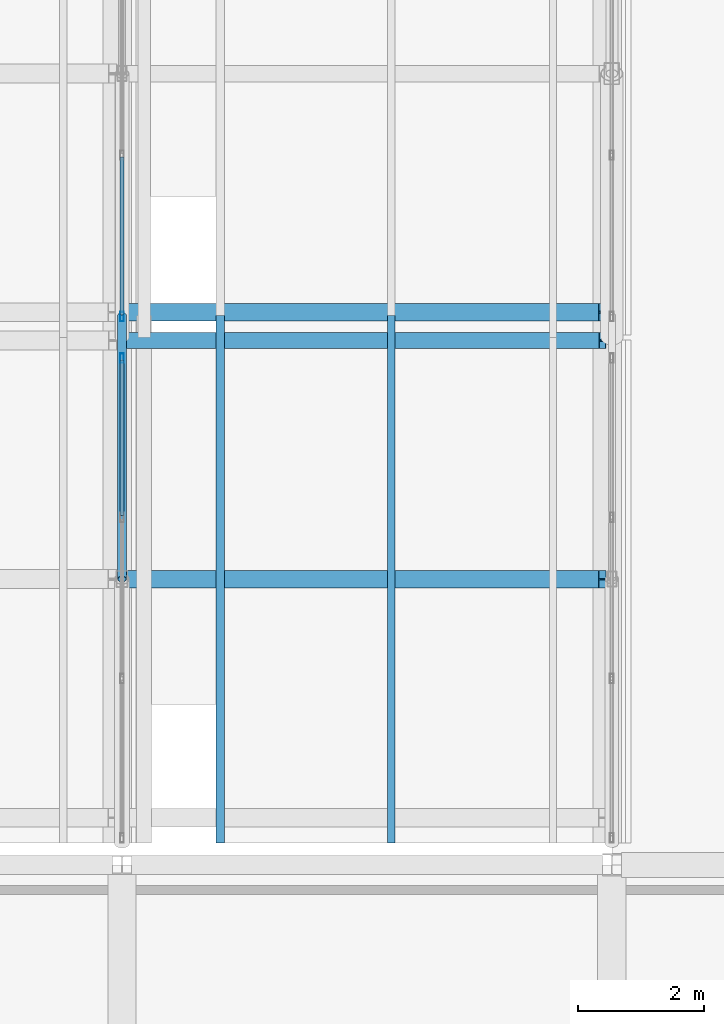
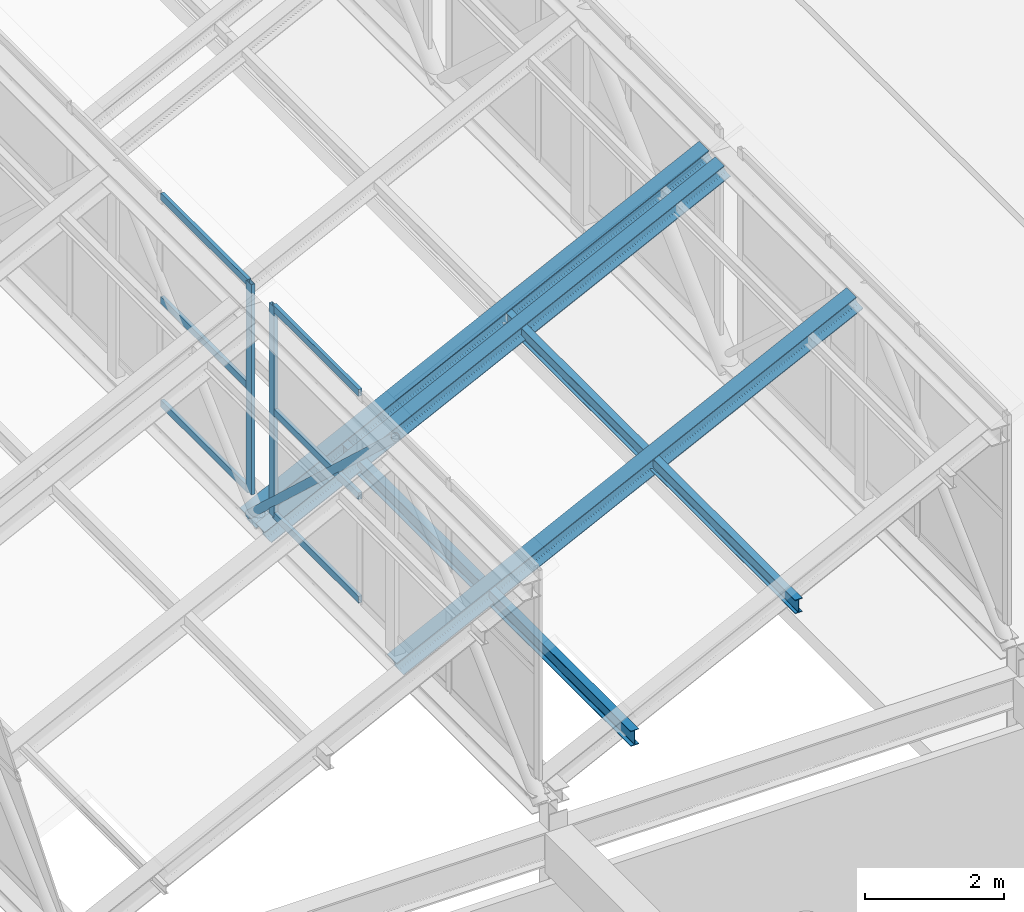
# One storey, part 34 of 101: 14 members, 2 elements without a shape of their own.
"""IFC4 building model written with IfcOpenShell, lengths in metres."""

from ifc_helpers import new_model, si_unit, direction, frame, origin, origin_2d, place, context, subcontext, project, spatial, hollow_rectangle, hollow_circle, i_section, extrude, material, layer, layer_set, material_profile, profile_set, type_object, element, aggregate, save


model = new_model("IFC4")

# Units and contexts
model_context = context("Model", 3, precision=1e-05, world=origin(), true_north=direction((0.0, 1.0)))
body_context = subcontext(model_context, "Body", "Model", "MODEL_VIEW")
ifc_project = project(units=[si_unit("LENGTHUNIT", "METRE"), si_unit("AREAUNIT", "SQUARE_METRE"), si_unit("VOLUMEUNIT", "CUBIC_METRE"), si_unit("PLANEANGLEUNIT", "RADIAN"), si_unit("MASSUNIT", "GRAM", prefix="KILO")], contexts=[model_context])

# Site, building, storey
site_placement = place(None, origin())
site = spatial("IfcSite", under=ifc_project, at=site_placement, CompositionType="ELEMENT")
building_placement = place(site_placement, origin())
building = spatial("IfcBuilding", under=site, at=building_placement, Name="Zizhar Promenade General Hospital", CompositionType="ELEMENT")
storey_placement = place(building_placement, frame((0.0, 0.0, 14.39990234375)))
storey = spatial("IfcBuildingStorey", under=building, at=storey_placement, Name="L03", CompositionType="ELEMENT", Elevation=14.39990234375)

# Curtain wall, member
ifc_material_1 = material(Name="Anodised aluminium 6063-T6 and low-E glass", Category="aluminium")
ifc_layer_1 = layer(ifc_material_1, 0.159912109375)
ifc_layer_set_1 = layer_set([ifc_layer_1], Name="Anodised aluminium 6063-T6 and low-E glass")
curtain_wall_type_1 = type_object("IfcCurtainWallType", Name="CW-SAW-NL1", PredefinedType="NOTDEFINED", material=ifc_layer_set_1)
curtain_wall_1_placement = place(storey_placement, origin())
curtain_wall_1 = element("IfcCurtainWall", 1, at=curtain_wall_1_placement, inside=storey, type_object=curtain_wall_type_1, Name="Sawtooth Clerestory Light B6-S1", PredefinedType="NOTDEFINED")
ifc_material_2 = material(Name="Anodised aluminium 6063-T6", Category="aluminium")
ifc_material_profile_1 = material_profile(ifc_material_2, hollow_rectangle(XDim=0.06005859375, YDim=0.14990234375, WallThickness=0.00390625, at=origin_2d()))
ifc_profile_set_1 = profile_set([ifc_material_profile_1], Name="Anodised aluminium 6063-T6")
member_type_1 = type_object("IfcMemberType", Name="CWM-ALU-150x60", PredefinedType="MULLION", material=ifc_profile_set_1)
member_1_placement = place(storey_placement, frame((117.0, 33.27001953125, 3.85009765625), z_axis=(0.0, 0.0, 1.0), x_axis=(-1.0, 0.0, 0.0)))
member_1 = element("IfcMember", 2, at=member_1_placement, type_object=member_type_1, Name="CW-03 mullion 4", PredefinedType="MULLION", context=body_context, shape_type="SweptSolid", body=[
    extrude(hollow_rectangle(XDim=0.06005859375, YDim=0.14990234375, WallThickness=0.00390625, at=origin_2d()), origin(), (0.0, 0.0, 1.0), 3.699951171875),
])

ifc_material_3 = material(Name="Anodised aluminium 6063-T6 and low-E glass", Category="aluminium")
ifc_layer_2 = layer(ifc_material_3, 0.159912109375)
ifc_layer_set_2 = layer_set([ifc_layer_2], Name="Anodised aluminium 6063-T6 and low-E glass")
curtain_wall_type_2 = type_object("IfcCurtainWallType", Name="CW-SAW-NL2", PredefinedType="NOTDEFINED", material=ifc_layer_set_2)
curtain_wall_2_placement = place(storey_placement, origin())
curtain_wall_2 = element("IfcCurtainWall", 3, at=curtain_wall_2_placement, inside=storey, type_object=curtain_wall_type_2, Name="Sawtooth Clerestory Light B6-S2", PredefinedType="NOTDEFINED")
member_2_placement = place(storey_placement, frame((117.0, 33.929931640625, 3.85009765625), z_axis=(0.0, 0.0, 1.0), x_axis=(-1.0, 0.0, 0.0)))
member_2 = element("IfcMember", 4, at=member_2_placement, type_object=member_type_1, Name="CW-04 mullion 1", PredefinedType="MULLION", context=body_context, shape_type="SweptSolid", body=[
    extrude(hollow_rectangle(XDim=0.06005859375, YDim=0.14990234375, WallThickness=0.00390625, at=origin_2d()), origin(), (0.0, 0.0, 1.0), 3.699951171875),
])

# Member
ifc_material_4 = material(Name="Anodised aluminium 6063-T6", Category="aluminium")
ifc_material_profile_2 = material_profile(ifc_material_4, hollow_rectangle(XDim=0.06005859375, YDim=0.1201171875, WallThickness=0.00390625, at=origin_2d()))
ifc_profile_set_2 = profile_set([ifc_material_profile_2], Name="Anodised aluminium 6063-T6")
member_type_2 = type_object("IfcMemberType", Name="CWT-ALU-120x60", PredefinedType="USERDEFINED", material=ifc_profile_set_2)
member_3_placement = place(storey_placement, frame((117.0, 30.763427734375, 3.880126953125), z_axis=(0.0, 1.0, 0.0), x_axis=(-1.0, 0.0, 0.0)))
member_3 = element("IfcMember", 5, at=member_3_placement, type_object=member_type_2, Name="CW-03 transom 3.1", ObjectType="TRANSOM", PredefinedType="USERDEFINED", context=body_context, shape_type="SweptSolid", body=[
    extrude(hollow_rectangle(XDim=0.06005859375, YDim=0.1201171875, WallThickness=0.00390625, at=origin_2d()), origin(), (0.0, 0.0, 1.0), 2.4765625),
])

member_4_placement = place(storey_placement, frame((117.0, 30.763427734375, 5.7001953125), z_axis=(0.0, 1.0, 0.0), x_axis=(-1.0, 0.0, 0.0)))
member_4 = element("IfcMember", 6, at=member_4_placement, type_object=member_type_2, Name="CW-03 transom 3.2", ObjectType="TRANSOM", PredefinedType="USERDEFINED", context=body_context, shape_type="SweptSolid", body=[
    extrude(hollow_rectangle(XDim=0.06005859375, YDim=0.1201171875, WallThickness=0.00390625, at=origin_2d()), origin(), (0.0, 0.0, 1.0), 2.4765625),
])

member_5_placement = place(storey_placement, frame((117.0, 30.763427734375, 7.52001953125), z_axis=(0.0, 1.0, 0.0), x_axis=(-1.0, 0.0, 0.0)))
member_5 = element("IfcMember", 7, at=member_5_placement, type_object=member_type_2, Name="CW-03 transom 3.3", ObjectType="TRANSOM", PredefinedType="USERDEFINED", context=body_context, shape_type="SweptSolid", body=[
    extrude(hollow_rectangle(XDim=0.06005859375, YDim=0.1201171875, WallThickness=0.00390625, at=origin_2d()), origin(), (0.0, 0.0, 1.0), 2.4765625),
])

aggregate(curtain_wall_1, [member_1, member_3, member_4, member_5])

member_6_placement = place(storey_placement, frame((117.0, 33.9599609375, 3.880126953125), z_axis=(0.0, 1.0, 0.0), x_axis=(-1.0, 0.0, 0.0)))
member_6 = element("IfcMember", 8, at=member_6_placement, type_object=member_type_2, Name="CW-04 transom 1.1", ObjectType="TRANSOM", PredefinedType="USERDEFINED", context=body_context, shape_type="SweptSolid", body=[
    extrude(hollow_rectangle(XDim=0.06005859375, YDim=0.1201171875, WallThickness=0.00390625, at=origin_2d()), origin(), (0.0, 0.0, 1.0), 2.510009765625),
])

member_7_placement = place(storey_placement, frame((117.0, 33.9599609375, 5.7001953125), z_axis=(0.0, 1.0, 0.0), x_axis=(-1.0, 0.0, 0.0)))
member_7 = element("IfcMember", 9, at=member_7_placement, type_object=member_type_2, Name="CW-04 transom 1.2", ObjectType="TRANSOM", PredefinedType="USERDEFINED", context=body_context, shape_type="SweptSolid", body=[
    extrude(hollow_rectangle(XDim=0.06005859375, YDim=0.1201171875, WallThickness=0.00390625, at=origin_2d()), origin(), (0.0, 0.0, 1.0), 2.510009765625),
])

member_8_placement = place(storey_placement, frame((117.0, 33.9599609375, 7.52001953125), z_axis=(0.0, 1.0, 0.0), x_axis=(-1.0, 0.0, 0.0)))
member_8 = element("IfcMember", 10, at=member_8_placement, type_object=member_type_2, Name="CW-04 transom 1.3", ObjectType="TRANSOM", PredefinedType="USERDEFINED", context=body_context, shape_type="SweptSolid", body=[
    extrude(hollow_rectangle(XDim=0.06005859375, YDim=0.1201171875, WallThickness=0.00390625, at=origin_2d()), origin(), (0.0, 0.0, 1.0), 2.510009765625),
])

aggregate(curtain_wall_2, [member_2, member_6, member_7, member_8])

# Members
ifc_material_5 = material(Name="Steel S355", Category="steel")
ifc_material_profile_3 = material_profile(ifc_material_5, hollow_circle(Radius=0.06982421875, WallThickness=0.00634765625, at=origin_2d()))
ifc_profile_set_3 = profile_set([ifc_material_profile_3], Name="Steel S355")
member_type_3 = type_object("IfcMemberType", Name="MEM-BRACE-CHS140", PredefinedType="BRACE", material=ifc_profile_set_3)
member_9_placement = place(storey_placement, frame((117.0, 33.949951171875, 3.4501953125), z_axis=(0.0, -0.732798043082, 0.680446197767), x_axis=(1.0, 0.0, 0.0)))
element("IfcMember", 11, at=member_9_placement, inside=storey, type_object=member_type_3, Name="Sawtooth Truss Frame 7 Diagonal B1", PredefinedType="BRACE", context=body_context, shape_type="SweptSolid", body=[
    extrude(hollow_circle(Radius=0.06982421875, WallThickness=0.00634765625, at=origin_2d()), origin(), (0.0, 0.0, 1.0), 5.7314453125),
])
ifc_material_6 = material(Name="Steel S355", Category="steel")
ifc_material_profile_4 = material_profile(ifc_material_6, i_section(OverallWidth=0.1201171875, OverallDepth=0.239990234375, WebThickness=0.006103515625, FlangeThickness=0.009765625, FilletRadius=0.014892578125, at=origin_2d()))
ifc_profile_set_4 = profile_set([ifc_material_profile_4], Name="Steel S355")
member_type_4 = type_object("IfcMemberType", Name="MEM-PURL-IPE240", PredefinedType="PURLIN", material=ifc_profile_set_4)
member_10_placement = place(storey_placement, frame((121.2900390625, 25.550048828125, 5.424560546875), z_axis=(0.0, 1.0, 0.0), x_axis=(-1.0, 0.0, 0.0)))
element("IfcMember", 12, at=member_10_placement, inside=storey, type_object=member_type_4, Name="Sawtooth Bay 7 Purlin 1-2", PredefinedType="PURLIN", context=body_context, shape_type="SweptSolid", body=[
    extrude(i_section(OverallWidth=0.1201171875, OverallDepth=0.239990234375, WebThickness=0.006103515625, FlangeThickness=0.009765625, FilletRadius=0.014892578125, at=origin_2d()), origin(), (0.0, 0.0, 1.0), 8.39990234375),
])
ifc_material_7 = material(Name="Steel S355", Category="steel")
ifc_material_profile_5 = material_profile(ifc_material_7, i_section(OverallWidth=0.135009765625, OverallDepth=0.27001953125, WebThickness=0.006591796875, FlangeThickness=0.01025390625, FilletRadius=0.014892578125, at=origin_2d()))
ifc_profile_set_5 = profile_set([ifc_material_profile_5], Name="Steel S355")
member_type_5 = type_object("IfcMemberType", Name="MEM-PURL-IPE270", PredefinedType="PURLIN", material=ifc_profile_set_5)
member_11_placement = place(storey_placement, frame((118.56005859375, 25.550048828125, 4.06201171875), z_axis=(0.0, 1.0, 0.0), x_axis=(-1.0, 0.0, 0.0)))
element("IfcMember", 13, at=member_11_placement, inside=storey, type_object=member_type_5, Name="Sawtooth Bay 7 Purlin 1-1", PredefinedType="PURLIN", context=body_context, shape_type="SweptSolid", body=[
    extrude(i_section(OverallWidth=0.135009765625, OverallDepth=0.27001953125, WebThickness=0.006591796875, FlangeThickness=0.01025390625, FilletRadius=0.014892578125, at=origin_2d()), origin(), (0.0, 0.0, 1.0), 8.39990234375),
])
ifc_material_8 = material(Name="Steel S355", Category="steel")
ifc_material_profile_6 = material_profile(ifc_material_8, i_section(OverallWidth=0.260009765625, OverallDepth=0.25, WebThickness=0.007568359375, FlangeThickness=0.012451171875, FilletRadius=0.02392578125, at=origin_2d()))
ifc_profile_set_6 = profile_set([ifc_material_profile_6], Name="Steel S355")
member_type_6 = type_object("IfcMemberType", Name="MEM-RAFT-HEA260", PredefinedType="RAFTER", material=ifc_profile_set_6)
member_12_placement = place(storey_placement, frame((117.0, 33.550048828125, 3.353759765625), z_axis=(0.896704881356, 0.0, 0.442628914276), x_axis=(0.0, 1.0, 0.0)))
element("IfcMember", 14, at=member_12_placement, inside=storey, type_object=member_type_6, Name="Sawtooth Bay 7 Rafter 1-3", PredefinedType="RAFTER", context=body_context, shape_type="SweptSolid", body=[
    extrude(i_section(OverallWidth=0.260009765625, OverallDepth=0.25, WebThickness=0.007568359375, FlangeThickness=0.012451171875, FilletRadius=0.02392578125, at=origin_2d()), origin(), (0.0, 0.0, 1.0), 8.531005859375),
])
ifc_material_9 = material(Name="Steel S355", Category="steel")
ifc_material_profile_7 = material_profile(ifc_material_9, i_section(OverallWidth=0.280029296875, OverallDepth=0.27001953125, WebThickness=0.008056640625, FlangeThickness=0.012939453125, FilletRadius=0.02392578125, at=origin_2d()))
ifc_profile_set_7 = profile_set([ifc_material_profile_7], Name="Steel S355")
member_type_7 = type_object("IfcMemberType", Name="MEM-RAFT-HEA280", PredefinedType="RAFTER", material=ifc_profile_set_7)
for number, where, z_axis, x_axis, name in (
    (15, (117.0, 29.75, 3.3427734375), (0.896716239757, 0.0, 0.442605902983), (0.0, 1.0, 0.0), "Sawtooth Bay 7 Rafter 1-2"),
    (16, (117.0, 34.0, 3.3427734375), (0.896716239757, 0.0, 0.442605902983), (0.0, 1.0, 0.0), "Sawtooth Bay 7 Rafter 2-1"),
):
    element("IfcMember", number, at=place(storey_placement, frame(where, z_axis=z_axis, x_axis=x_axis)), inside=storey, type_object=member_type_7, Name=name, PredefinedType="RAFTER", context=body_context, shape_type="SweptSolid", body=[
        extrude(i_section(OverallWidth=0.280029296875, OverallDepth=0.27001953125, WebThickness=0.008056640625, FlangeThickness=0.012939453125, FilletRadius=0.02392578125, at=origin_2d()), origin(), (0.0, 0.0, 1.0), 8.531005859375),
    ])

save(model, "model.ifc")
